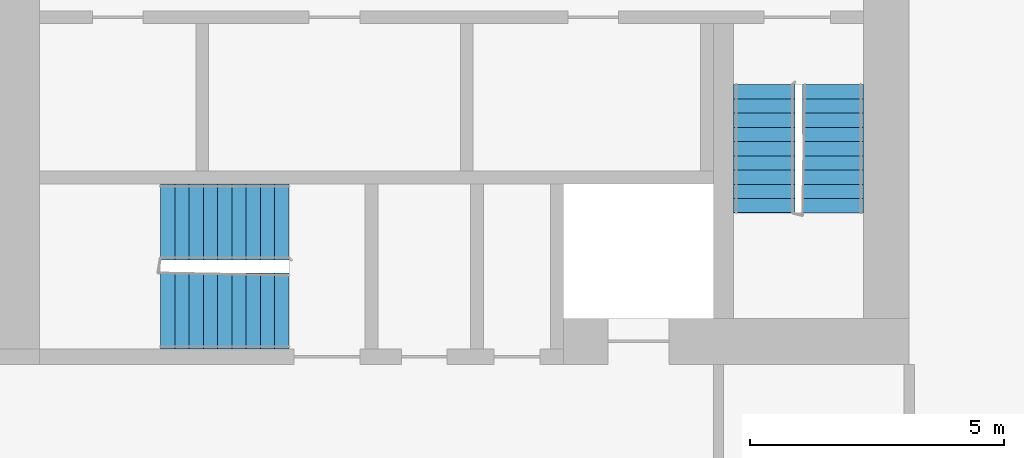
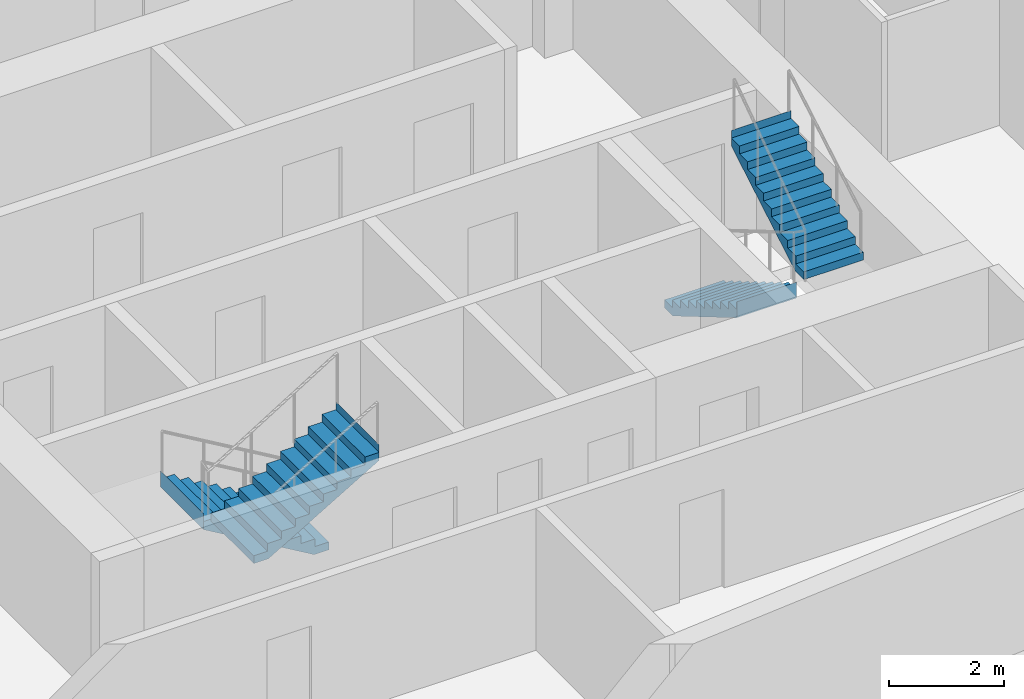
# One storey, part 9 of 12: 4 stair flights, 2 elements without a shape of their own.
"""IFC4 building model written with IfcOpenShell, lengths in metres."""

from ifc_helpers import new_model, si_unit, direction, frame, origin, place, context, subcontext, project, spatial, faceted_brep, material, type_object, element, aggregate, save


model = new_model("IFC4")

# Units and contexts
model_context = context("Model", 3, precision=1e-05, world=origin(), true_north=direction((0.0, 1.0)))
body_context = subcontext(model_context, "Body", "Model", "MODEL_VIEW")
ifc_project = project(units=[si_unit("LENGTHUNIT", "METRE"), si_unit("AREAUNIT", "SQUARE_METRE"), si_unit("VOLUMEUNIT", "CUBIC_METRE"), si_unit("PLANEANGLEUNIT", "RADIAN"), si_unit("MASSUNIT", "GRAM", prefix="KILO")], contexts=[model_context])

# Site, building, storey
site_placement = place(None, origin())
site = spatial("IfcSite", under=ifc_project, at=site_placement, CompositionType="ELEMENT")
building_placement = place(site_placement, origin())
building = spatial("IfcBuilding", under=site, at=building_placement, Name="Kajstack Hotel Tower", CompositionType="ELEMENT")
storey_placement = place(building_placement, frame((0.0, 0.0, 301.5)))
storey = spatial("IfcBuildingStorey", under=building, at=storey_placement, Name="L76", CompositionType="ELEMENT", Elevation=301.5)

# Stair, stair flights
ifc_material = material(Name="Concrete C40/50", Category="concrete")
stair_type_1 = type_object("IfcStairType", Name="Exit stair 1200", PredefinedType="HALF_TURN_STAIR", material=ifc_material)
stair_1_placement = place(storey_placement, origin())
stair_1 = element("IfcStair", 1, at=stair_1_placement, inside=storey, type_object=stair_type_1, Name="L76 stair W2", PredefinedType="HALF_TURN_STAIR")
stair_flight_type_1 = type_object("IfcStairFlightType", Name="Exit stair flight 1200", PredefinedType="STRAIGHT", material=ifc_material)
stair_flight_1_placement = place(storey_placement, frame((-16.35009765625, -10.0, 0.0), z_axis=(0.0, 0.0, 1.0), x_axis=(0.0, -1.0, 0.0)))
stair_flight_1 = element("IfcStairFlight", 2, at=stair_flight_1_placement, type_object=stair_flight_type_1, Name="W2 flight 1", NumberOfRisers=10, NumberOfTreads=9, PredefinedType="STRAIGHT", RiserHeight=0.165, TreadLength=0.28, context=body_context, shape_type="Brep", body=[
    faceted_brep([(0.295654296875, -0.60009765625, 0.0), (2.5205078125, -0.60009765625, 1.31103515625), (2.5205078125, -0.60009765625, 1.64990234375), (2.52001953125, -0.60009765625, 1.64990234375), (2.52001953125, -0.60009765625, 1.485107421875), (2.239990234375, -0.60009765625, 1.485107421875), (2.239990234375, -0.60009765625, 1.320068359375), (1.9599609375, -0.60009765625, 1.320068359375), (1.9599609375, -0.60009765625, 1.155029296875), (1.679931640625, -0.60009765625, 1.155029296875), (1.679931640625, -0.60009765625, 0.989990234375), (1.39990234375, -0.60009765625, 0.989990234375), (1.39990234375, -0.60009765625, 0.824951171875), (1.1201171875, -0.60009765625, 0.824951171875), (1.1201171875, -0.60009765625, 0.659912109375), (0.840087890625, -0.60009765625, 0.659912109375), (0.840087890625, -0.60009765625, 0.4951171875), (0.56005859375, -0.60009765625, 0.4951171875), (0.56005859375, -0.60009765625, 0.330078125), (0.280029296875, -0.60009765625, 0.330078125), (0.280029296875, -0.60009765625, 0.1650390625), (-0.00048828125, -0.60009765625, 0.1650390625), (-0.00048828125, -0.60009765625, 0.0), (-0.00048828125, 0.60009765625, 0.0), (-0.00048828125, 0.60009765625, 0.1650390625), (0.280029296875, 0.60009765625, 0.1650390625), (0.280029296875, 0.60009765625, 0.330078125), (0.56005859375, 0.60009765625, 0.330078125), (0.56005859375, 0.60009765625, 0.4951171875), (0.840087890625, 0.60009765625, 0.4951171875), (0.840087890625, 0.60009765625, 0.659912109375), (1.1201171875, 0.60009765625, 0.659912109375), (1.1201171875, 0.60009765625, 0.824951171875), (1.39990234375, 0.60009765625, 0.824951171875), (1.39990234375, 0.60009765625, 0.989990234375), (1.679931640625, 0.60009765625, 0.989990234375), (1.679931640625, 0.60009765625, 1.155029296875), (1.9599609375, 0.60009765625, 1.155029296875), (1.9599609375, 0.60009765625, 1.320068359375), (2.239990234375, 0.60009765625, 1.320068359375), (2.239990234375, 0.60009765625, 1.485107421875), (2.52001953125, 0.60009765625, 1.485107421875), (2.52001953125, 0.60009765625, 1.64990234375), (2.5205078125, 0.60009765625, 1.64990234375), (2.5205078125, 0.60009765625, 1.31103515625), (0.295654296875, 0.60009765625, 0.0), (-0.00048828125, -0.300048828125, 0.1650390625), (-0.00048828125, 0.0, 0.1650390625), (-0.00048828125, 0.300048828125, 0.1650390625), (-0.00048828125, 0.300048828125, 0.0), (-0.00048828125, 0.0, 0.0), (-0.00048828125, -0.300048828125, 0.0), (0.280029296875, -0.300048828125, 0.1650390625), (0.280029296875, 0.0, 0.1650390625), (0.280029296875, 0.300048828125, 0.1650390625), (0.280029296875, -0.300048828125, 0.330078125), (0.280029296875, 0.0, 0.330078125), (0.280029296875, 0.300048828125, 0.330078125), (0.56005859375, -0.300048828125, 0.330078125), (0.56005859375, 0.0, 0.330078125), (0.56005859375, 0.300048828125, 0.330078125), (0.56005859375, -0.300048828125, 0.4951171875), (0.56005859375, 0.0, 0.4951171875), (0.56005859375, 0.300048828125, 0.4951171875), (0.840087890625, -0.300048828125, 0.4951171875), (0.840087890625, 0.0, 0.4951171875), (0.840087890625, 0.300048828125, 0.4951171875), (0.840087890625, -0.300048828125, 0.659912109375), (0.840087890625, 0.0, 0.659912109375), (0.840087890625, 0.300048828125, 0.659912109375), (1.1201171875, -0.300048828125, 0.659912109375), (1.1201171875, 0.0, 0.659912109375), (1.1201171875, 0.300048828125, 0.659912109375), (1.1201171875, -0.300048828125, 0.824951171875), (1.1201171875, 0.0, 0.824951171875), (1.1201171875, 0.300048828125, 0.824951171875), (1.39990234375, -0.300048828125, 0.824951171875), (1.39990234375, 0.0, 0.824951171875), (1.39990234375, 0.300048828125, 0.824951171875), (1.39990234375, -0.300048828125, 0.989990234375), (1.39990234375, 0.0, 0.989990234375), (1.39990234375, 0.300048828125, 0.989990234375), (1.679931640625, -0.300048828125, 0.989990234375), (1.679931640625, 0.0, 0.989990234375), (1.679931640625, 0.300048828125, 0.989990234375), (1.679931640625, -0.300048828125, 1.155029296875), (1.679931640625, 0.0, 1.155029296875), (1.679931640625, 0.300048828125, 1.155029296875), (1.9599609375, -0.300048828125, 1.155029296875), (1.9599609375, 0.0, 1.155029296875), (1.9599609375, 0.300048828125, 1.155029296875), (1.9599609375, -0.300048828125, 1.320068359375), (1.9599609375, 0.0, 1.320068359375), (1.9599609375, 0.300048828125, 1.320068359375), (2.239990234375, -0.300048828125, 1.320068359375), (2.239990234375, 0.0, 1.320068359375), (2.239990234375, 0.300048828125, 1.320068359375), (2.239990234375, -0.300048828125, 1.485107421875), (2.239990234375, 0.0, 1.485107421875), (2.239990234375, 0.300048828125, 1.485107421875), (2.52001953125, -0.300048828125, 1.485107421875), (2.52001953125, 0.0, 1.485107421875), (2.52001953125, 0.300048828125, 1.485107421875), (2.52001953125, -0.300048828125, 1.64990234375), (2.52001953125, 0.0, 1.64990234375), (2.52001953125, 0.300048828125, 1.64990234375), (2.5205078125, -0.300048828125, 1.64990234375), (2.5205078125, 0.0, 1.64990234375), (2.5205078125, 0.300048828125, 1.64990234375), (2.5205078125, -0.300048828125, 1.31103515625), (2.5205078125, 0.0, 1.31103515625), (2.5205078125, 0.300048828125, 1.31103515625), (0.295654296875, -0.300048828125, 0.0), (0.295654296875, 0.0, 0.0), (0.295654296875, 0.300048828125, 0.0)], [[[0, 1, 2, 3, 4, 5, 6, 7, 8, 9, 10, 11, 12, 13, 14, 15, 16, 17, 18, 19, 20, 21, 22]], [[23, 24, 25, 26, 27, 28, 29, 30, 31, 32, 33, 34, 35, 36, 37, 38, 39, 40, 41, 42, 43, 44, 45]], [[21, 46, 47, 48, 24, 23, 49, 50, 51, 22]], [[20, 52, 53, 54, 25, 24, 48, 47, 46, 21]], [[19, 55, 56, 57, 26, 25, 54, 53, 52, 20]], [[18, 58, 59, 60, 27, 26, 57, 56, 55, 19]], [[17, 61, 62, 63, 28, 27, 60, 59, 58, 18]], [[16, 64, 65, 66, 29, 28, 63, 62, 61, 17]], [[15, 67, 68, 69, 30, 29, 66, 65, 64, 16]], [[14, 70, 71, 72, 31, 30, 69, 68, 67, 15]], [[13, 73, 74, 75, 32, 31, 72, 71, 70, 14]], [[12, 76, 77, 78, 33, 32, 75, 74, 73, 13]], [[11, 79, 80, 81, 34, 33, 78, 77, 76, 12]], [[10, 82, 83, 84, 35, 34, 81, 80, 79, 11]], [[9, 85, 86, 87, 36, 35, 84, 83, 82, 10]], [[8, 88, 89, 90, 37, 36, 87, 86, 85, 9]], [[7, 91, 92, 93, 38, 37, 90, 89, 88, 8]], [[6, 94, 95, 96, 39, 38, 93, 92, 91, 7]], [[5, 97, 98, 99, 40, 39, 96, 95, 94, 6]], [[4, 100, 101, 102, 41, 40, 99, 98, 97, 5]], [[3, 103, 104, 105, 42, 41, 102, 101, 100, 4]], [[2, 106, 107, 108, 43, 42, 105, 104, 103, 3]], [[1, 109, 110, 111, 44, 43, 108, 107, 106, 2]], [[0, 112, 113, 114, 45, 44, 111, 110, 109, 1]], [[22, 51, 50, 49, 23, 45, 114, 113, 112, 0]]]),
])
stair_flight_2_placement = place(storey_placement, frame((-15.0, -12.52001953125, 1.64990234375), z_axis=(0.0, 0.0, 1.0), x_axis=(0.0, 1.0, 0.0)))
stair_flight_2 = element("IfcStairFlight", 3, at=stair_flight_2_placement, type_object=stair_flight_type_1, Name="W2 flight 2", NumberOfRisers=10, NumberOfTreads=9, PredefinedType="STRAIGHT", RiserHeight=0.165, TreadLength=0.28, context=body_context, shape_type="Brep", body=[
    faceted_brep([(0.295654296875, -0.60009765625, 0.0), (2.5205078125, -0.60009765625, 1.31103515625), (2.5205078125, -0.60009765625, 1.64990234375), (2.52001953125, -0.60009765625, 1.64990234375), (2.52001953125, -0.60009765625, 1.485107421875), (2.239990234375, -0.60009765625, 1.485107421875), (2.239990234375, -0.60009765625, 1.320068359375), (1.9599609375, -0.60009765625, 1.320068359375), (1.9599609375, -0.60009765625, 1.155029296875), (1.679931640625, -0.60009765625, 1.155029296875), (1.679931640625, -0.60009765625, 0.989990234375), (1.39990234375, -0.60009765625, 0.989990234375), (1.39990234375, -0.60009765625, 0.824951171875), (1.1201171875, -0.60009765625, 0.824951171875), (1.1201171875, -0.60009765625, 0.659912109375), (0.840087890625, -0.60009765625, 0.659912109375), (0.840087890625, -0.60009765625, 0.4951171875), (0.56005859375, -0.60009765625, 0.4951171875), (0.56005859375, -0.60009765625, 0.330078125), (0.280029296875, -0.60009765625, 0.330078125), (0.280029296875, -0.60009765625, 0.1650390625), (-0.00048828125, -0.60009765625, 0.1650390625), (-0.00048828125, -0.60009765625, 0.0), (-0.00048828125, 0.60009765625, 0.0), (-0.00048828125, 0.60009765625, 0.1650390625), (0.280029296875, 0.60009765625, 0.1650390625), (0.280029296875, 0.60009765625, 0.330078125), (0.56005859375, 0.60009765625, 0.330078125), (0.56005859375, 0.60009765625, 0.4951171875), (0.840087890625, 0.60009765625, 0.4951171875), (0.840087890625, 0.60009765625, 0.659912109375), (1.1201171875, 0.60009765625, 0.659912109375), (1.1201171875, 0.60009765625, 0.824951171875), (1.39990234375, 0.60009765625, 0.824951171875), (1.39990234375, 0.60009765625, 0.989990234375), (1.679931640625, 0.60009765625, 0.989990234375), (1.679931640625, 0.60009765625, 1.155029296875), (1.9599609375, 0.60009765625, 1.155029296875), (1.9599609375, 0.60009765625, 1.320068359375), (2.239990234375, 0.60009765625, 1.320068359375), (2.239990234375, 0.60009765625, 1.485107421875), (2.52001953125, 0.60009765625, 1.485107421875), (2.52001953125, 0.60009765625, 1.64990234375), (2.5205078125, 0.60009765625, 1.64990234375), (2.5205078125, 0.60009765625, 1.31103515625), (0.295654296875, 0.60009765625, 0.0), (-0.00048828125, -0.300048828125, 0.1650390625), (-0.00048828125, 0.0, 0.1650390625), (-0.00048828125, 0.300048828125, 0.1650390625), (-0.00048828125, 0.300048828125, 0.0), (-0.00048828125, 0.0, 0.0), (-0.00048828125, -0.300048828125, 0.0), (0.280029296875, -0.300048828125, 0.1650390625), (0.280029296875, 0.0, 0.1650390625), (0.280029296875, 0.300048828125, 0.1650390625), (0.280029296875, -0.300048828125, 0.330078125), (0.280029296875, 0.0, 0.330078125), (0.280029296875, 0.300048828125, 0.330078125), (0.56005859375, -0.300048828125, 0.330078125), (0.56005859375, 0.0, 0.330078125), (0.56005859375, 0.300048828125, 0.330078125), (0.56005859375, -0.300048828125, 0.4951171875), (0.56005859375, 0.0, 0.4951171875), (0.56005859375, 0.300048828125, 0.4951171875), (0.840087890625, -0.300048828125, 0.4951171875), (0.840087890625, 0.0, 0.4951171875), (0.840087890625, 0.300048828125, 0.4951171875), (0.840087890625, -0.300048828125, 0.659912109375), (0.840087890625, 0.0, 0.659912109375), (0.840087890625, 0.300048828125, 0.659912109375), (1.1201171875, -0.300048828125, 0.659912109375), (1.1201171875, 0.0, 0.659912109375), (1.1201171875, 0.300048828125, 0.659912109375), (1.1201171875, -0.300048828125, 0.824951171875), (1.1201171875, 0.0, 0.824951171875), (1.1201171875, 0.300048828125, 0.824951171875), (1.39990234375, -0.300048828125, 0.824951171875), (1.39990234375, 0.0, 0.824951171875), (1.39990234375, 0.300048828125, 0.824951171875), (1.39990234375, -0.300048828125, 0.989990234375), (1.39990234375, 0.0, 0.989990234375), (1.39990234375, 0.300048828125, 0.989990234375), (1.679931640625, -0.300048828125, 0.989990234375), (1.679931640625, 0.0, 0.989990234375), (1.679931640625, 0.300048828125, 0.989990234375), (1.679931640625, -0.300048828125, 1.155029296875), (1.679931640625, 0.0, 1.155029296875), (1.679931640625, 0.300048828125, 1.155029296875), (1.9599609375, -0.300048828125, 1.155029296875), (1.9599609375, 0.0, 1.155029296875), (1.9599609375, 0.300048828125, 1.155029296875), (1.9599609375, -0.300048828125, 1.320068359375), (1.9599609375, 0.0, 1.320068359375), (1.9599609375, 0.300048828125, 1.320068359375), (2.239990234375, -0.300048828125, 1.320068359375), (2.239990234375, 0.0, 1.320068359375), (2.239990234375, 0.300048828125, 1.320068359375), (2.239990234375, -0.300048828125, 1.485107421875), (2.239990234375, 0.0, 1.485107421875), (2.239990234375, 0.300048828125, 1.485107421875), (2.52001953125, -0.300048828125, 1.485107421875), (2.52001953125, 0.0, 1.485107421875), (2.52001953125, 0.300048828125, 1.485107421875), (2.52001953125, -0.300048828125, 1.64990234375), (2.52001953125, 0.0, 1.64990234375), (2.52001953125, 0.300048828125, 1.64990234375), (2.5205078125, -0.300048828125, 1.64990234375), (2.5205078125, 0.0, 1.64990234375), (2.5205078125, 0.300048828125, 1.64990234375), (2.5205078125, -0.300048828125, 1.31103515625), (2.5205078125, 0.0, 1.31103515625), (2.5205078125, 0.300048828125, 1.31103515625), (0.295654296875, -0.300048828125, 0.0), (0.295654296875, 0.0, 0.0), (0.295654296875, 0.300048828125, 0.0)], [[[0, 1, 2, 3, 4, 5, 6, 7, 8, 9, 10, 11, 12, 13, 14, 15, 16, 17, 18, 19, 20, 21, 22]], [[23, 24, 25, 26, 27, 28, 29, 30, 31, 32, 33, 34, 35, 36, 37, 38, 39, 40, 41, 42, 43, 44, 45]], [[21, 46, 47, 48, 24, 23, 49, 50, 51, 22]], [[20, 52, 53, 54, 25, 24, 48, 47, 46, 21]], [[19, 55, 56, 57, 26, 25, 54, 53, 52, 20]], [[18, 58, 59, 60, 27, 26, 57, 56, 55, 19]], [[17, 61, 62, 63, 28, 27, 60, 59, 58, 18]], [[16, 64, 65, 66, 29, 28, 63, 62, 61, 17]], [[15, 67, 68, 69, 30, 29, 66, 65, 64, 16]], [[14, 70, 71, 72, 31, 30, 69, 68, 67, 15]], [[13, 73, 74, 75, 32, 31, 72, 71, 70, 14]], [[12, 76, 77, 78, 33, 32, 75, 74, 73, 13]], [[11, 79, 80, 81, 34, 33, 78, 77, 76, 12]], [[10, 82, 83, 84, 35, 34, 81, 80, 79, 11]], [[9, 85, 86, 87, 36, 35, 84, 83, 82, 10]], [[8, 88, 89, 90, 37, 36, 87, 86, 85, 9]], [[7, 91, 92, 93, 38, 37, 90, 89, 88, 8]], [[6, 94, 95, 96, 39, 38, 93, 92, 91, 7]], [[5, 97, 98, 99, 40, 39, 96, 95, 94, 6]], [[4, 100, 101, 102, 41, 40, 99, 98, 97, 5]], [[3, 103, 104, 105, 42, 41, 102, 101, 100, 4]], [[2, 106, 107, 108, 43, 42, 105, 104, 103, 3]], [[1, 109, 110, 111, 44, 43, 108, 107, 106, 2]], [[0, 112, 113, 114, 45, 44, 111, 110, 109, 1]], [[22, 51, 50, 49, 23, 45, 114, 113, 112, 0]]]),
])
aggregate(stair_1, [stair_flight_1, stair_flight_2])

stair_type_2 = type_object("IfcStairType", Name="Exit stair 1500", PredefinedType="HALF_TURN_STAIR", material=ifc_material)
stair_2_placement = place(storey_placement, origin())
stair_2 = element("IfcStair", 4, at=stair_2_placement, inside=storey, type_object=stair_type_2, Name="L76 stair W3", PredefinedType="HALF_TURN_STAIR")
stair_flight_type_2 = type_object("IfcStairFlightType", Name="Exit stair flight 1500", PredefinedType="STRAIGHT", material=ifc_material)
stair_flight_3_placement = place(storey_placement, frame((-25.699951171875, -12.699951171875, 0.0), z_axis=(0.0, 0.0, 1.0), x_axis=(-1.0, 0.0, 0.0)))
stair_flight_3 = element("IfcStairFlight", 5, at=stair_flight_3_placement, type_object=stair_flight_type_2, Name="W3 flight 1", NumberOfRisers=10, NumberOfTreads=9, PredefinedType="STRAIGHT", RiserHeight=0.165, TreadLength=0.28, context=body_context, shape_type="Brep", body=[
    faceted_brep([(0.295654296875, -0.75, 0.0), (2.5205078125, -0.75, 1.31103515625), (2.5205078125, -0.75, 1.64990234375), (2.52001953125, -0.75, 1.64990234375), (2.52001953125, -0.75, 1.485107421875), (2.239990234375, -0.75, 1.485107421875), (2.239990234375, -0.75, 1.320068359375), (1.9599609375, -0.75, 1.320068359375), (1.9599609375, -0.75, 1.155029296875), (1.679931640625, -0.75, 1.155029296875), (1.679931640625, -0.75, 0.989990234375), (1.39990234375, -0.75, 0.989990234375), (1.39990234375, -0.75, 0.824951171875), (1.1201171875, -0.75, 0.824951171875), (1.1201171875, -0.75, 0.659912109375), (0.840087890625, -0.75, 0.659912109375), (0.840087890625, -0.75, 0.4951171875), (0.56005859375, -0.75, 0.4951171875), (0.56005859375, -0.75, 0.330078125), (0.280029296875, -0.75, 0.330078125), (0.280029296875, -0.75, 0.1650390625), (-0.00048828125, -0.75, 0.1650390625), (-0.00048828125, -0.75, 0.0), (-0.00048828125, 0.75, 0.0), (-0.00048828125, 0.75, 0.1650390625), (0.280029296875, 0.75, 0.1650390625), (0.280029296875, 0.75, 0.330078125), (0.56005859375, 0.75, 0.330078125), (0.56005859375, 0.75, 0.4951171875), (0.840087890625, 0.75, 0.4951171875), (0.840087890625, 0.75, 0.659912109375), (1.1201171875, 0.75, 0.659912109375), (1.1201171875, 0.75, 0.824951171875), (1.39990234375, 0.75, 0.824951171875), (1.39990234375, 0.75, 0.989990234375), (1.679931640625, 0.75, 0.989990234375), (1.679931640625, 0.75, 1.155029296875), (1.9599609375, 0.75, 1.155029296875), (1.9599609375, 0.75, 1.320068359375), (2.239990234375, 0.75, 1.320068359375), (2.239990234375, 0.75, 1.485107421875), (2.52001953125, 0.75, 1.485107421875), (2.52001953125, 0.75, 1.64990234375), (2.5205078125, 0.75, 1.64990234375), (2.5205078125, 0.75, 1.31103515625), (0.295654296875, 0.75, 0.0), (-0.00048828125, -0.375, 0.1650390625), (-0.00048828125, 0.0, 0.1650390625), (-0.00048828125, 0.375, 0.1650390625), (-0.00048828125, 0.375, 0.0), (-0.00048828125, 0.0, 0.0), (-0.00048828125, -0.375, 0.0), (0.280029296875, -0.375, 0.1650390625), (0.280029296875, 0.0, 0.1650390625), (0.280029296875, 0.375, 0.1650390625), (0.280029296875, -0.375, 0.330078125), (0.280029296875, 0.0, 0.330078125), (0.280029296875, 0.375, 0.330078125), (0.56005859375, -0.375, 0.330078125), (0.56005859375, 0.0, 0.330078125), (0.56005859375, 0.375, 0.330078125), (0.56005859375, -0.375, 0.4951171875), (0.56005859375, 0.0, 0.4951171875), (0.56005859375, 0.375, 0.4951171875), (0.840087890625, -0.375, 0.4951171875), (0.840087890625, 0.0, 0.4951171875), (0.840087890625, 0.375, 0.4951171875), (0.840087890625, -0.375, 0.659912109375), (0.840087890625, 0.0, 0.659912109375), (0.840087890625, 0.375, 0.659912109375), (1.1201171875, -0.375, 0.659912109375), (1.1201171875, 0.0, 0.659912109375), (1.1201171875, 0.375, 0.659912109375), (1.1201171875, -0.375, 0.824951171875), (1.1201171875, 0.0, 0.824951171875), (1.1201171875, 0.375, 0.824951171875), (1.39990234375, -0.375, 0.824951171875), (1.39990234375, 0.0, 0.824951171875), (1.39990234375, 0.375, 0.824951171875), (1.39990234375, -0.375, 0.989990234375), (1.39990234375, 0.0, 0.989990234375), (1.39990234375, 0.375, 0.989990234375), (1.679931640625, -0.375, 0.989990234375), (1.679931640625, 0.0, 0.989990234375), (1.679931640625, 0.375, 0.989990234375), (1.679931640625, -0.375, 1.155029296875), (1.679931640625, 0.0, 1.155029296875), (1.679931640625, 0.375, 1.155029296875), (1.9599609375, -0.375, 1.155029296875), (1.9599609375, 0.0, 1.155029296875), (1.9599609375, 0.375, 1.155029296875), (1.9599609375, -0.375, 1.320068359375), (1.9599609375, 0.0, 1.320068359375), (1.9599609375, 0.375, 1.320068359375), (2.239990234375, -0.375, 1.320068359375), (2.239990234375, 0.0, 1.320068359375), (2.239990234375, 0.375, 1.320068359375), (2.239990234375, -0.375, 1.485107421875), (2.239990234375, 0.0, 1.485107421875), (2.239990234375, 0.375, 1.485107421875), (2.52001953125, -0.375, 1.485107421875), (2.52001953125, 0.0, 1.485107421875), (2.52001953125, 0.375, 1.485107421875), (2.52001953125, -0.375, 1.64990234375), (2.52001953125, 0.0, 1.64990234375), (2.52001953125, 0.375, 1.64990234375), (2.5205078125, -0.375, 1.64990234375), (2.5205078125, 0.0, 1.64990234375), (2.5205078125, 0.375, 1.64990234375), (2.5205078125, -0.375, 1.31103515625), (2.5205078125, 0.0, 1.31103515625), (2.5205078125, 0.375, 1.31103515625), (0.295654296875, -0.375, 0.0), (0.295654296875, 0.0, 0.0), (0.295654296875, 0.375, 0.0)], [[[0, 1, 2, 3, 4, 5, 6, 7, 8, 9, 10, 11, 12, 13, 14, 15, 16, 17, 18, 19, 20, 21, 22]], [[23, 24, 25, 26, 27, 28, 29, 30, 31, 32, 33, 34, 35, 36, 37, 38, 39, 40, 41, 42, 43, 44, 45]], [[21, 46, 47, 48, 24, 23, 49, 50, 51, 22]], [[20, 52, 53, 54, 25, 24, 48, 47, 46, 21]], [[19, 55, 56, 57, 26, 25, 54, 53, 52, 20]], [[18, 58, 59, 60, 27, 26, 57, 56, 55, 19]], [[17, 61, 62, 63, 28, 27, 60, 59, 58, 18]], [[16, 64, 65, 66, 29, 28, 63, 62, 61, 17]], [[15, 67, 68, 69, 30, 29, 66, 65, 64, 16]], [[14, 70, 71, 72, 31, 30, 69, 68, 67, 15]], [[13, 73, 74, 75, 32, 31, 72, 71, 70, 14]], [[12, 76, 77, 78, 33, 32, 75, 74, 73, 13]], [[11, 79, 80, 81, 34, 33, 78, 77, 76, 12]], [[10, 82, 83, 84, 35, 34, 81, 80, 79, 11]], [[9, 85, 86, 87, 36, 35, 84, 83, 82, 10]], [[8, 88, 89, 90, 37, 36, 87, 86, 85, 9]], [[7, 91, 92, 93, 38, 37, 90, 89, 88, 8]], [[6, 94, 95, 96, 39, 38, 93, 92, 91, 7]], [[5, 97, 98, 99, 40, 39, 96, 95, 94, 6]], [[4, 100, 101, 102, 41, 40, 99, 98, 97, 5]], [[3, 103, 104, 105, 42, 41, 102, 101, 100, 4]], [[2, 106, 107, 108, 43, 42, 105, 104, 103, 3]], [[1, 109, 110, 111, 44, 43, 108, 107, 106, 2]], [[0, 112, 113, 114, 45, 44, 111, 110, 109, 1]], [[22, 51, 50, 49, 23, 45, 114, 113, 112, 0]]]),
])
stair_flight_4_placement = place(storey_placement, frame((-28.219970703125, -14.449951171875, 1.64990234375), z_axis=(0.0, 0.0, 1.0), x_axis=(1.0, 0.0, 0.0)))
stair_flight_4 = element("IfcStairFlight", 6, at=stair_flight_4_placement, type_object=stair_flight_type_2, Name="W3 flight 2", NumberOfRisers=10, NumberOfTreads=9, PredefinedType="STRAIGHT", RiserHeight=0.165, TreadLength=0.28, context=body_context, shape_type="Brep", body=[
    faceted_brep([(0.295654296875, -0.75, 0.0), (2.5205078125, -0.75, 1.31103515625), (2.5205078125, -0.75, 1.64990234375), (2.52001953125, -0.75, 1.64990234375), (2.52001953125, -0.75, 1.485107421875), (2.239990234375, -0.75, 1.485107421875), (2.239990234375, -0.75, 1.320068359375), (1.9599609375, -0.75, 1.320068359375), (1.9599609375, -0.75, 1.155029296875), (1.679931640625, -0.75, 1.155029296875), (1.679931640625, -0.75, 0.989990234375), (1.39990234375, -0.75, 0.989990234375), (1.39990234375, -0.75, 0.824951171875), (1.1201171875, -0.75, 0.824951171875), (1.1201171875, -0.75, 0.659912109375), (0.840087890625, -0.75, 0.659912109375), (0.840087890625, -0.75, 0.4951171875), (0.56005859375, -0.75, 0.4951171875), (0.56005859375, -0.75, 0.330078125), (0.280029296875, -0.75, 0.330078125), (0.280029296875, -0.75, 0.1650390625), (-0.00048828125, -0.75, 0.1650390625), (-0.00048828125, -0.75, 0.0), (-0.00048828125, 0.75, 0.0), (-0.00048828125, 0.75, 0.1650390625), (0.280029296875, 0.75, 0.1650390625), (0.280029296875, 0.75, 0.330078125), (0.56005859375, 0.75, 0.330078125), (0.56005859375, 0.75, 0.4951171875), (0.840087890625, 0.75, 0.4951171875), (0.840087890625, 0.75, 0.659912109375), (1.1201171875, 0.75, 0.659912109375), (1.1201171875, 0.75, 0.824951171875), (1.39990234375, 0.75, 0.824951171875), (1.39990234375, 0.75, 0.989990234375), (1.679931640625, 0.75, 0.989990234375), (1.679931640625, 0.75, 1.155029296875), (1.9599609375, 0.75, 1.155029296875), (1.9599609375, 0.75, 1.320068359375), (2.239990234375, 0.75, 1.320068359375), (2.239990234375, 0.75, 1.485107421875), (2.52001953125, 0.75, 1.485107421875), (2.52001953125, 0.75, 1.64990234375), (2.5205078125, 0.75, 1.64990234375), (2.5205078125, 0.75, 1.31103515625), (0.295654296875, 0.75, 0.0), (-0.00048828125, -0.375, 0.1650390625), (-0.00048828125, 0.0, 0.1650390625), (-0.00048828125, 0.375, 0.1650390625), (-0.00048828125, 0.375, 0.0), (-0.00048828125, 0.0, 0.0), (-0.00048828125, -0.375, 0.0), (0.280029296875, -0.375, 0.1650390625), (0.280029296875, 0.0, 0.1650390625), (0.280029296875, 0.375, 0.1650390625), (0.280029296875, -0.375, 0.330078125), (0.280029296875, 0.0, 0.330078125), (0.280029296875, 0.375, 0.330078125), (0.56005859375, -0.375, 0.330078125), (0.56005859375, 0.0, 0.330078125), (0.56005859375, 0.375, 0.330078125), (0.56005859375, -0.375, 0.4951171875), (0.56005859375, 0.0, 0.4951171875), (0.56005859375, 0.375, 0.4951171875), (0.840087890625, -0.375, 0.4951171875), (0.840087890625, 0.0, 0.4951171875), (0.840087890625, 0.375, 0.4951171875), (0.840087890625, -0.375, 0.659912109375), (0.840087890625, 0.0, 0.659912109375), (0.840087890625, 0.375, 0.659912109375), (1.1201171875, -0.375, 0.659912109375), (1.1201171875, 0.0, 0.659912109375), (1.1201171875, 0.375, 0.659912109375), (1.1201171875, -0.375, 0.824951171875), (1.1201171875, 0.0, 0.824951171875), (1.1201171875, 0.375, 0.824951171875), (1.39990234375, -0.375, 0.824951171875), (1.39990234375, 0.0, 0.824951171875), (1.39990234375, 0.375, 0.824951171875), (1.39990234375, -0.375, 0.989990234375), (1.39990234375, 0.0, 0.989990234375), (1.39990234375, 0.375, 0.989990234375), (1.679931640625, -0.375, 0.989990234375), (1.679931640625, 0.0, 0.989990234375), (1.679931640625, 0.375, 0.989990234375), (1.679931640625, -0.375, 1.155029296875), (1.679931640625, 0.0, 1.155029296875), (1.679931640625, 0.375, 1.155029296875), (1.9599609375, -0.375, 1.155029296875), (1.9599609375, 0.0, 1.155029296875), (1.9599609375, 0.375, 1.155029296875), (1.9599609375, -0.375, 1.320068359375), (1.9599609375, 0.0, 1.320068359375), (1.9599609375, 0.375, 1.320068359375), (2.239990234375, -0.375, 1.320068359375), (2.239990234375, 0.0, 1.320068359375), (2.239990234375, 0.375, 1.320068359375), (2.239990234375, -0.375, 1.485107421875), (2.239990234375, 0.0, 1.485107421875), (2.239990234375, 0.375, 1.485107421875), (2.52001953125, -0.375, 1.485107421875), (2.52001953125, 0.0, 1.485107421875), (2.52001953125, 0.375, 1.485107421875), (2.52001953125, -0.375, 1.64990234375), (2.52001953125, 0.0, 1.64990234375), (2.52001953125, 0.375, 1.64990234375), (2.5205078125, -0.375, 1.64990234375), (2.5205078125, 0.0, 1.64990234375), (2.5205078125, 0.375, 1.64990234375), (2.5205078125, -0.375, 1.31103515625), (2.5205078125, 0.0, 1.31103515625), (2.5205078125, 0.375, 1.31103515625), (0.295654296875, -0.375, 0.0), (0.295654296875, 0.0, 0.0), (0.295654296875, 0.375, 0.0)], [[[0, 1, 2, 3, 4, 5, 6, 7, 8, 9, 10, 11, 12, 13, 14, 15, 16, 17, 18, 19, 20, 21, 22]], [[23, 24, 25, 26, 27, 28, 29, 30, 31, 32, 33, 34, 35, 36, 37, 38, 39, 40, 41, 42, 43, 44, 45]], [[21, 46, 47, 48, 24, 23, 49, 50, 51, 22]], [[20, 52, 53, 54, 25, 24, 48, 47, 46, 21]], [[19, 55, 56, 57, 26, 25, 54, 53, 52, 20]], [[18, 58, 59, 60, 27, 26, 57, 56, 55, 19]], [[17, 61, 62, 63, 28, 27, 60, 59, 58, 18]], [[16, 64, 65, 66, 29, 28, 63, 62, 61, 17]], [[15, 67, 68, 69, 30, 29, 66, 65, 64, 16]], [[14, 70, 71, 72, 31, 30, 69, 68, 67, 15]], [[13, 73, 74, 75, 32, 31, 72, 71, 70, 14]], [[12, 76, 77, 78, 33, 32, 75, 74, 73, 13]], [[11, 79, 80, 81, 34, 33, 78, 77, 76, 12]], [[10, 82, 83, 84, 35, 34, 81, 80, 79, 11]], [[9, 85, 86, 87, 36, 35, 84, 83, 82, 10]], [[8, 88, 89, 90, 37, 36, 87, 86, 85, 9]], [[7, 91, 92, 93, 38, 37, 90, 89, 88, 8]], [[6, 94, 95, 96, 39, 38, 93, 92, 91, 7]], [[5, 97, 98, 99, 40, 39, 96, 95, 94, 6]], [[4, 100, 101, 102, 41, 40, 99, 98, 97, 5]], [[3, 103, 104, 105, 42, 41, 102, 101, 100, 4]], [[2, 106, 107, 108, 43, 42, 105, 104, 103, 3]], [[1, 109, 110, 111, 44, 43, 108, 107, 106, 2]], [[0, 112, 113, 114, 45, 44, 111, 110, 109, 1]], [[22, 51, 50, 49, 23, 45, 114, 113, 112, 0]]]),
])
aggregate(stair_2, [stair_flight_3, stair_flight_4])

save(model, "model.ifc")
